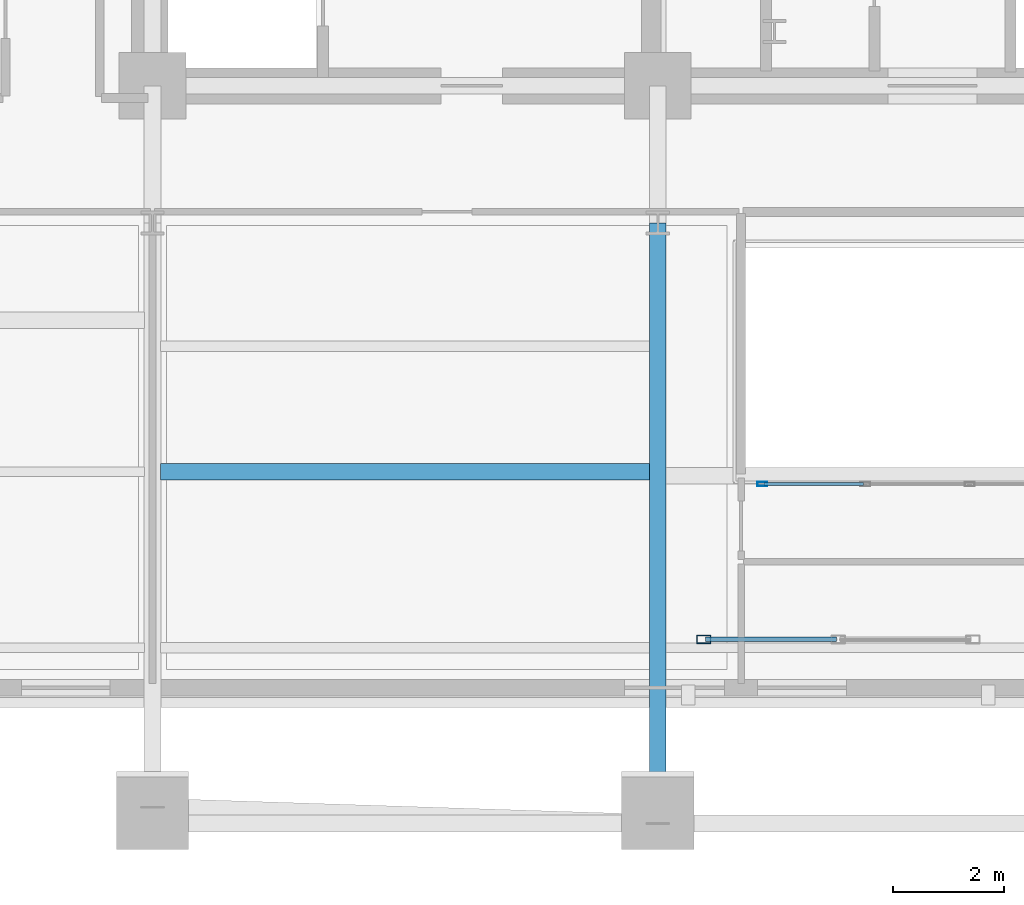
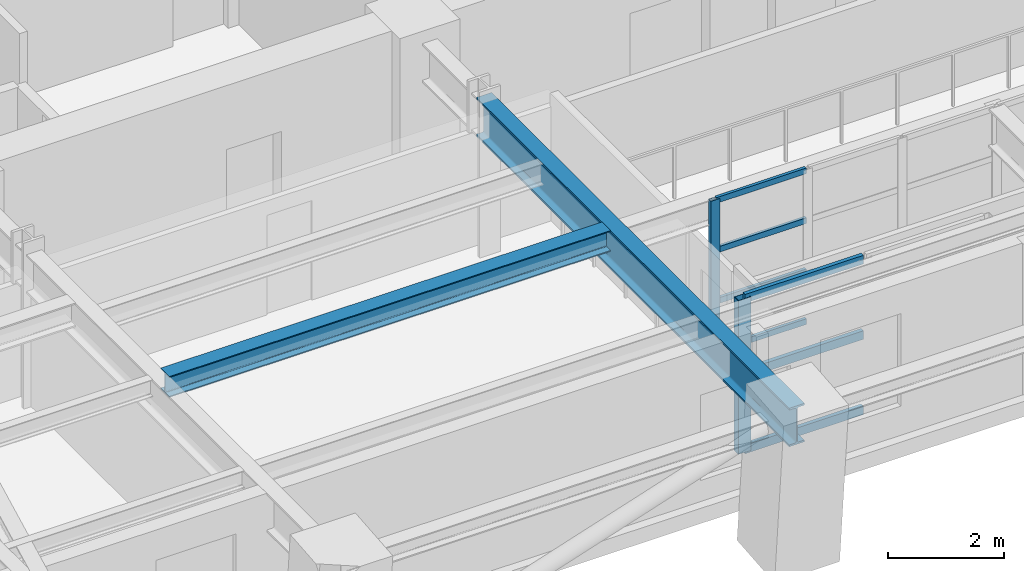
# One storey, part 2 of 15: 9 members, 2 beams, 2 elements without a shape of their own.
"""IFC4 building model written with IfcOpenShell, lengths in metres."""

from ifc_helpers import new_model, si_unit, direction, frame, origin, origin_2d, place, context, subcontext, project, spatial, hollow_rectangle, i_section, extrude, material, layer, layer_set, material_profile, profile_set, type_object, element, aggregate, save


model = new_model("IFC4")

# Units and contexts
model_context = context("Model", 3, precision=1e-05, world=origin(), true_north=direction((0.0, 1.0)))
body_context = subcontext(model_context, "Body", "Model", "MODEL_VIEW")
ifc_project = project(units=[si_unit("LENGTHUNIT", "METRE"), si_unit("AREAUNIT", "SQUARE_METRE"), si_unit("VOLUMEUNIT", "CUBIC_METRE"), si_unit("PLANEANGLEUNIT", "RADIAN"), si_unit("MASSUNIT", "GRAM", prefix="KILO")], contexts=[model_context])

# Site, building, storey
site_placement = place(None, origin())
site = spatial("IfcSite", under=ifc_project, at=site_placement, CompositionType="ELEMENT")
building_placement = place(site_placement, origin())
building = spatial("IfcBuilding", under=site, at=building_placement, Name="Zarnavel Station Tower", CompositionType="ELEMENT")
storey_placement = place(building_placement, frame((0.0, 0.0, 125.800048828125)))
storey = spatial("IfcBuildingStorey", under=building, at=storey_placement, Name="L34", CompositionType="ELEMENT", Elevation=125.800048828125)

# Curtain wall, members
ifc_material_1 = material(Name="Aluminium Dark Anodised and Solar-Control Glass", Category="aluminium")
ifc_layer_1 = layer(ifc_material_1, 0.179931640625)
ifc_layer_set_1 = layer_set([ifc_layer_1], Name="CWS3")
curtain_wall_type_1 = type_object("IfcCurtainWallType", Name="CWS3", PredefinedType="NOTDEFINED", material=ifc_layer_set_1)
curtain_wall_1_placement = place(storey_placement, origin())
curtain_wall_1 = element("IfcCurtainWall", 1, at=curtain_wall_1_placement, inside=storey, type_object=curtain_wall_type_1, Name="L34 Curtain Wall CWS3-L34-AS", PredefinedType="NOTDEFINED")
ifc_material_2 = material(Name="Steel S355J2 (Black Fluoropolymer Coated)", Category="steel")
ifc_material_profile_1 = material_profile(ifc_material_2, hollow_rectangle(XDim=0.080078125, YDim=0.179931640625, WallThickness=0.00634765625, at=origin_2d()), Name="RHS180x80x6.3")
ifc_profile_set_1 = profile_set([ifc_material_profile_1], Name="Steel S355J2 (Black Fluoropolymer Coated)")
member_type_1 = type_object("IfcMemberType", Name="CWS3_MUL", PredefinedType="MULLION", material=ifc_profile_set_1)
member_1_placement = place(storey_placement, frame((23.179931640625, 20.64990234375, 0.0), z_axis=(0.0, 0.0, 1.0), x_axis=(0.0, 1.0, 0.0)))
member_1 = element("IfcMember", 2, at=member_1_placement, type_object=member_type_1, Name="CW3 mullion 1", PredefinedType="MULLION", context=body_context, shape_type="SweptSolid", body=[
    extrude(hollow_rectangle(XDim=0.080078125, YDim=0.179931640625, WallThickness=0.00634765625, at=origin_2d()), origin(), (0.0, 0.0, 1.0), 3.239990234375),
])
ifc_material_3 = material(Name="Steel S355J2 (Black Fluoropolymer Coated)", Category="steel")
ifc_material_profile_2 = material_profile(ifc_material_3, hollow_rectangle(XDim=0.06005859375, YDim=0.1201171875, WallThickness=0.0048828125, at=origin_2d()), Name="RHS120x60x5")
ifc_profile_set_2 = profile_set([ifc_material_profile_2], Name="Steel S355J2 (Black Fluoropolymer Coated)")
member_type_2 = type_object("IfcMemberType", Name="CWS3_TRN", PredefinedType="USERDEFINED", material=ifc_profile_set_2)
member_2_placement = place(storey_placement, frame((23.2099609375, 20.64990234375, 0.030029296875), z_axis=(1.0, 0.0, 0.0), x_axis=(0.0, 1.0, 0.0)))
member_2 = element("IfcMember", 3, at=member_2_placement, type_object=member_type_2, Name="CW3 transom 1.1", ObjectType="TRANSOM", PredefinedType="USERDEFINED", context=body_context, shape_type="SweptSolid", body=[
    extrude(hollow_rectangle(XDim=0.06005859375, YDim=0.1201171875, WallThickness=0.0048828125, at=origin_2d()), origin(), (0.0, 0.0, 1.0), 1.79345703125),
])
member_3_placement = place(storey_placement, frame((23.2099609375, 20.64990234375, 1.079833984375), z_axis=(1.0, 0.0, 0.0), x_axis=(0.0, 1.0, 0.0)))
member_3 = element("IfcMember", 4, at=member_3_placement, type_object=member_type_2, Name="CW3 transom 1.2", ObjectType="TRANSOM", PredefinedType="USERDEFINED", context=body_context, shape_type="SweptSolid", body=[
    extrude(hollow_rectangle(XDim=0.06005859375, YDim=0.1201171875, WallThickness=0.0048828125, at=origin_2d()), origin(), (0.0, 0.0, 1.0), 1.79345703125),
])
member_4_placement = place(storey_placement, frame((23.2099609375, 20.64990234375, 2.159912109375), z_axis=(1.0, 0.0, 0.0), x_axis=(0.0, 1.0, 0.0)))
member_4 = element("IfcMember", 5, at=member_4_placement, type_object=member_type_2, Name="CW3 transom 1.3", ObjectType="TRANSOM", PredefinedType="USERDEFINED", context=body_context, shape_type="SweptSolid", body=[
    extrude(hollow_rectangle(XDim=0.06005859375, YDim=0.1201171875, WallThickness=0.0048828125, at=origin_2d()), origin(), (0.0, 0.0, 1.0), 1.79345703125),
])
member_5_placement = place(storey_placement, frame((23.2099609375, 20.64990234375, 3.2099609375), z_axis=(1.0, 0.0, 0.0), x_axis=(0.0, 1.0, 0.0)))
member_5 = element("IfcMember", 6, at=member_5_placement, type_object=member_type_2, Name="CW3 transom 1.4", ObjectType="TRANSOM", PredefinedType="USERDEFINED", context=body_context, shape_type="SweptSolid", body=[
    extrude(hollow_rectangle(XDim=0.06005859375, YDim=0.1201171875, WallThickness=0.0048828125, at=origin_2d()), origin(), (0.0, 0.0, 1.0), 1.79345703125),
])
aggregate(curtain_wall_1, [member_1, member_2, member_3, member_4, member_5])

ifc_material_4 = material(Name="Aluminium Dark Anodised and Solar-Control Glass", Category="aluminium")
ifc_layer_2 = layer(ifc_material_4, 0.179931640625)
ifc_layer_set_2 = layer_set([ifc_layer_2], Name="CWS6")
curtain_wall_type_2 = type_object("IfcCurtainWallType", Name="CWS6", PredefinedType="NOTDEFINED", material=ifc_layer_set_2)
curtain_wall_2_placement = place(storey_placement, origin())
curtain_wall_2 = element("IfcCurtainWall", 7, at=curtain_wall_2_placement, inside=storey, type_object=curtain_wall_type_2, Name="L34 Curtain Wall CWS6-LOG-L34", PredefinedType="NOTDEFINED")
ifc_material_5 = material(Name="Steel S355J2 (Black Fluoropolymer Coated)", Category="steel")
ifc_material_profile_3 = material_profile(ifc_material_5, hollow_rectangle(XDim=0.14990234375, YDim=0.25, WallThickness=0.010009765625, at=origin_2d()), Name="RHS250x150x10")
ifc_profile_set_3 = profile_set([ifc_material_profile_3], Name="Steel S355J2 (Black Fluoropolymer Coated)")
member_type_3 = type_object("IfcMemberType", Name="CWS6_MUL", PredefinedType="MULLION", material=ifc_profile_set_3)
member_6_placement = place(storey_placement, frame((22.1298828125, 17.85009765625, 0.0), z_axis=(0.0, 0.0, 1.0), x_axis=(0.0, 1.0, 0.0)))
member_6 = element("IfcMember", 8, at=member_6_placement, type_object=member_type_3, Name="CW6 mullion 1", PredefinedType="MULLION", context=body_context, shape_type="SweptSolid", body=[
    extrude(hollow_rectangle(XDim=0.14990234375, YDim=0.25, WallThickness=0.010009765625, at=origin_2d()), origin(), (0.0, 0.0, 1.0), 3.239990234375),
])
ifc_material_6 = material(Name="Steel S355J2 (Black Fluoropolymer Coated)", Category="steel")
ifc_material_profile_4 = material_profile(ifc_material_6, hollow_rectangle(XDim=0.080078125, YDim=0.179931640625, WallThickness=0.00634765625, at=origin_2d()), Name="RHS180x80x6.3")
ifc_profile_set_4 = profile_set([ifc_material_profile_4], Name="Steel S355J2 (Black Fluoropolymer Coated)")
member_type_4 = type_object("IfcMemberType", Name="CWS6_TRN", PredefinedType="USERDEFINED", material=ifc_profile_set_4)
member_7_placement = place(storey_placement, frame((22.159912109375, 17.85009765625, 0.030029296875), z_axis=(1.0, 0.0, 0.0), x_axis=(0.0, 1.0, 0.0)))
member_7 = element("IfcMember", 9, at=member_7_placement, type_object=member_type_4, Name="CW6 transom 1.1", ObjectType="TRANSOM", PredefinedType="USERDEFINED", context=body_context, shape_type="SweptSolid", body=[
    extrude(hollow_rectangle(XDim=0.080078125, YDim=0.179931640625, WallThickness=0.00634765625, at=origin_2d()), origin(), (0.0, 0.0, 1.0), 2.360107421875),
])
member_8_placement = place(storey_placement, frame((22.159912109375, 17.85009765625, 1.619873046875), z_axis=(1.0, 0.0, 0.0), x_axis=(0.0, 1.0, 0.0)))
member_8 = element("IfcMember", 10, at=member_8_placement, type_object=member_type_4, Name="CW6 transom 1.2", ObjectType="TRANSOM", PredefinedType="USERDEFINED", context=body_context, shape_type="SweptSolid", body=[
    extrude(hollow_rectangle(XDim=0.080078125, YDim=0.179931640625, WallThickness=0.00634765625, at=origin_2d()), origin(), (0.0, 0.0, 1.0), 2.360107421875),
])
member_9_placement = place(storey_placement, frame((22.159912109375, 17.85009765625, 3.2099609375), z_axis=(1.0, 0.0, 0.0), x_axis=(0.0, 1.0, 0.0)))
member_9 = element("IfcMember", 11, at=member_9_placement, type_object=member_type_4, Name="CW6 transom 1.3", ObjectType="TRANSOM", PredefinedType="USERDEFINED", context=body_context, shape_type="SweptSolid", body=[
    extrude(hollow_rectangle(XDim=0.080078125, YDim=0.179931640625, WallThickness=0.00634765625, at=origin_2d()), origin(), (0.0, 0.0, 1.0), 2.360107421875),
])
aggregate(curtain_wall_2, [member_6, member_7, member_8, member_9])

# Beams
ifc_material_7 = material(Name="Steel S355J2", Category="steel")
ifc_material_profile_5 = material_profile(ifc_material_7, i_section(OverallWidth=0.300048828125, OverallDepth=0.43994140625, WebThickness=0.011474609375, FlangeThickness=0.02099609375, FilletRadius=0.027099609375, at=origin_2d()), Name="HEA450")
ifc_profile_set_5 = profile_set([ifc_material_profile_5], Name="Steel S355J2")
beam_type_1 = type_object("IfcBeamType", Name="FB_HEA450", PredefinedType="BEAM", material=ifc_profile_set_5)
beam_1_placement = place(storey_placement, frame((12.344970703125, 20.8671875, 3.02001953125), z_axis=(1.0, 0.0, 0.0), x_axis=(0.0, 1.0, 0.0)))
element("IfcBeam", 12, at=beam_1_placement, inside=storey, type_object=beam_type_1, Name="L34 West Bay Beam 2", PredefinedType="BEAM", context=body_context, shape_type="SweptSolid", body=[
    extrude(i_section(OverallWidth=0.300048828125, OverallDepth=0.43994140625, WebThickness=0.011474609375, FlangeThickness=0.02099609375, FilletRadius=0.027099609375, at=origin_2d()), origin(), (0.0, 0.0, 1.0), 8.81005859375),
])
ifc_material_8 = material(Name="Steel S460M", Category="steel")
ifc_material_profile_6 = material_profile(ifc_material_8, i_section(OverallWidth=0.302978515625, OverallDepth=0.81396484375, WebThickness=0.02099609375, FlangeThickness=0.0400390625, FilletRadius=0.030029296875, at=origin_2d()), Name="HEM800")
ifc_profile_set_6 = profile_set([ifc_material_profile_6], Name="Steel S460M")
beam_type_2 = type_object("IfcBeamType", Name="FG_HEM800", PredefinedType="USERDEFINED", material=ifc_profile_set_6)
beam_2_placement = place(storey_placement, frame((21.300048828125, 14.534423828125, 2.8330078125), z_axis=(0.0, 1.0, 0.0), x_axis=(-1.0, 0.0, 0.0)))
element("IfcBeam", 13, at=beam_2_placement, inside=storey, type_object=beam_type_2, Name="L34 South-Zone NS Girder 2", ObjectType="GIRDER", PredefinedType="USERDEFINED", context=body_context, shape_type="SweptSolid", body=[
    extrude(i_section(OverallWidth=0.302978515625, OverallDepth=0.81396484375, WebThickness=0.02099609375, FlangeThickness=0.0400390625, FilletRadius=0.030029296875, at=origin_2d()), origin(), (0.0, 0.0, 1.0), 10.815673828125),
])

save(model, "model.ifc")
